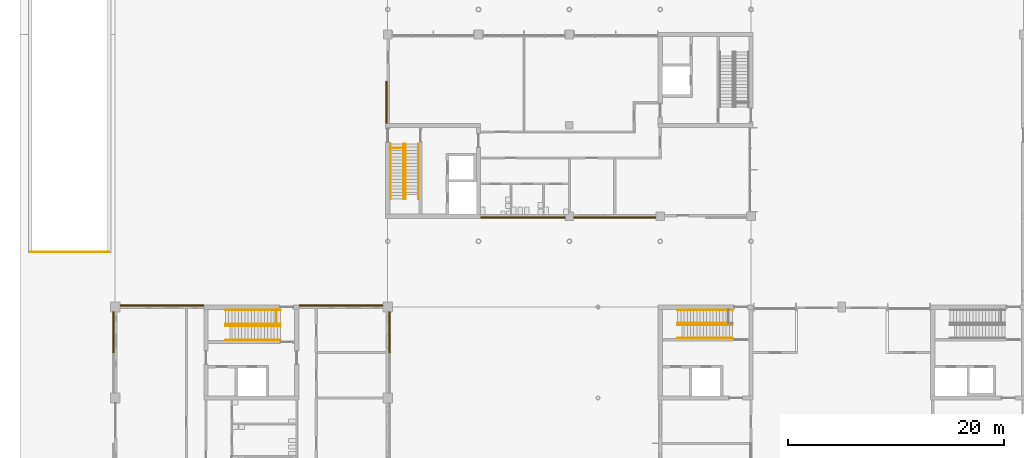
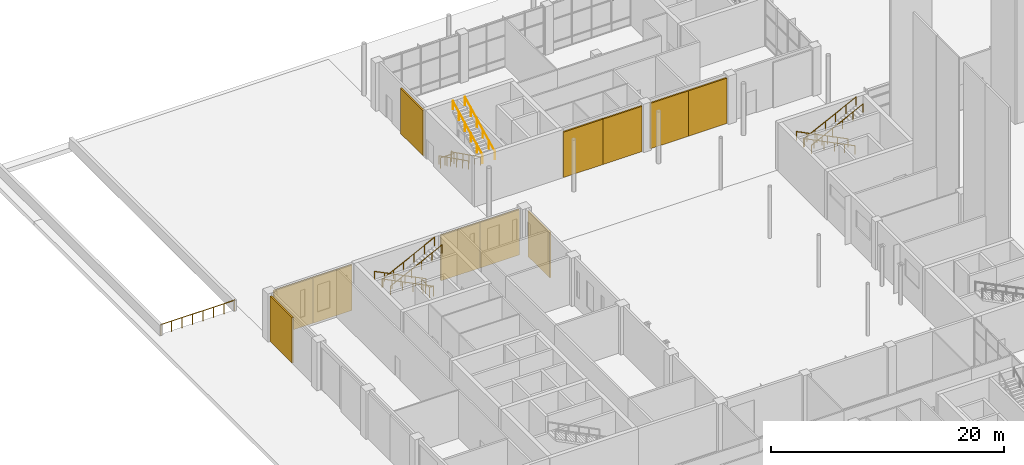
# One storey, part 66 of 76: 15 railings, 11 shading devices.
"""IFC4 building model written with IfcOpenShell, lengths in metres."""

from ifc_helpers import new_model, si_unit, direction, frame, origin, origin_2d, place, context, subcontext, project, spatial, rectangle, circle, extrude, material, layer, layer_set, type_object, element, save


model = new_model("IFC4")

# Units and contexts
model_context = context("Model", 3, precision=1e-05, world=origin(), true_north=direction((0.0, 1.0)))
body_context = subcontext(model_context, "Body", "Model", "MODEL_VIEW")
ifc_project = project(units=[si_unit("LENGTHUNIT", "METRE"), si_unit("AREAUNIT", "SQUARE_METRE"), si_unit("VOLUMEUNIT", "CUBIC_METRE"), si_unit("PLANEANGLEUNIT", "RADIAN"), si_unit("MASSUNIT", "GRAM", prefix="KILO")], contexts=[model_context])

# Site, building, storey
site_placement = place(None, origin())
site = spatial("IfcSite", under=ifc_project, at=site_placement, CompositionType="ELEMENT")
building_placement = place(site_placement, origin())
building = spatial("IfcBuilding", under=site, at=building_placement, Name="Hlaing Beacon Police Headquarters", CompositionType="ELEMENT")
storey_placement = place(building_placement, origin())
storey = spatial("IfcBuildingStorey", under=building, at=storey_placement, Name="L00", CompositionType="ELEMENT", Elevation=0.0)

# Shading devices
ifc_material_1 = material(Name="Perforated aluminium", Category="aluminium")
ifc_layer = layer(ifc_material_1, 0.14990234375)
ifc_layer_set = layer_set([ifc_layer], Name="Perforated aluminium")
shading_device_type = type_object("IfcShadingDeviceType", Name="Perforated screen panel 150", PredefinedType="JALOUSIE", material=ifc_layer_set)
shading_device_1_placement = place(storey_placement, frame((33.75, 64.875, 0.0), z_axis=(0.0, 0.0, 1.0), x_axis=(0.0, 1.0, 0.0)))
element("IfcShadingDevice", 1, at=shading_device_1_placement, inside=storey, type_object=shading_device_type, Name="Screen L00 E007", PredefinedType="JALOUSIE", context=body_context, shape_type="SweptSolid", body=[
    extrude(rectangle(XDim=3.75, YDim=0.14990234375, at=origin_2d()), origin(), (0.0, 0.0, 1.0), 4.75),
])
for number, where, z_axis, x_axis, name in (
    (2, (31.21240234375, 67.35009765625, 0.0), (0.0, 0.0, 1.0), (-1.0, 0.0, 0.0), "Screen L00 N008"),
    (3, (27.33740234375, 67.35009765625, 0.0), (0.0, 0.0, 1.0), (-1.0, 0.0, 0.0), "Screen L00 N009"),
    (4, (14.66259765625, 67.35009765625, 0.0), (0.0, 0.0, 1.0), (-1.0, 0.0, 0.0), "Screen L00 N010"),
    (5, (10.78759765625, 67.35009765625, 0.0), (0.0, 0.0, 1.0), (-1.0, 0.0, 0.0), "Screen L00 N011"),
):
    element("IfcShadingDevice", number, at=place(storey_placement, frame(where, z_axis=z_axis, x_axis=x_axis)), inside=storey, type_object=shading_device_type, Name=name, PredefinedType="JALOUSIE", context=body_context, shape_type="SweptSolid", body=[
        extrude(rectangle(XDim=3.875, YDim=0.14990234375, at=origin_2d()), origin(), (0.0, 0.0, 1.0), 4.75),
    ])
shading_device_2_placement = place(storey_placement, frame((8.25, 64.875, 0.0), z_axis=(0.0, 0.0, 1.0), x_axis=(0.0, -1.0, 0.0)))
element("IfcShadingDevice", 6, at=shading_device_2_placement, inside=storey, type_object=shading_device_type, Name="Screen L00 W012", PredefinedType="JALOUSIE", context=body_context, shape_type="SweptSolid", body=[
    extrude(rectangle(XDim=3.75, YDim=0.14990234375, at=origin_2d()), origin(), (0.0, 0.0, 1.0), 4.75),
])
for number, where, z_axis, x_axis, name in (
    (7, (33.47509765625, 86.14990234375, 0.0), (0.0, 0.0, 1.0), (0.0, -1.0, 0.0), "Screen L00 W017"),
    (8, (44.14990234375, 75.47509765625, 0.0), (0.0, 0.0, 1.0), (1.0, 0.0, 0.0), "Screen L00 S018"),
    (9, (48.050048828125, 75.47509765625, 0.0), (0.0, 0.0, 1.0), (1.0, 0.0, 0.0), "Screen L00 S019"),
):
    element("IfcShadingDevice", number, at=place(storey_placement, frame(where, z_axis=z_axis, x_axis=x_axis)), inside=storey, type_object=shading_device_type, Name=name, PredefinedType="JALOUSIE", context=body_context, shape_type="SweptSolid", body=[
        extrude(rectangle(XDim=3.89990234375, YDim=0.14990234375, at=origin_2d()), origin(), (0.0, 0.0, 1.0), 4.75),
    ])
for number, where, z_axis, x_axis, name in (
    (10, (52.699951171875, 75.47509765625, 0.0), (0.0, 0.0, 1.0), (1.0, 0.0, 0.0), "Screen L00 S020"),
    (11, (56.5, 75.47509765625, 0.0), (0.0, 0.0, 1.0), (1.0, 0.0, 0.0), "Screen L00 S021"),
):
    element("IfcShadingDevice", number, at=place(storey_placement, frame(where, z_axis=z_axis, x_axis=x_axis)), inside=storey, type_object=shading_device_type, Name=name, PredefinedType="JALOUSIE", context=body_context, shape_type="SweptSolid", body=[
        extrude(rectangle(XDim=3.800048828125, YDim=0.14990234375, at=origin_2d()), origin(), (0.0, 0.0, 1.0), 4.75),
    ])

# Railings
ifc_material_2 = material(Name="Galvanised steel", Category="steel")
railing_type_1 = type_object("IfcRailingType", Name="Ramp edge guard 1100", PredefinedType="GUARDRAIL", material=ifc_material_2)
railing_1_placement = place(storey_placement, frame((7.85009765625, 72.300048828125, 0.0)))
element("IfcRailing", 12, at=railing_1_placement, inside=storey, type_object=railing_type_1, Name="Guard R1", PredefinedType="GUARDRAIL", context=body_context, shape_type="SweptSolid", body=[
    extrude(circle(Radius=0.02392578125, at=origin_2d()), frame((0.0, 0.0, 1.076171875), z_axis=(-1.0, 0.0, 0.0), x_axis=(0.0, -1.0, 0.0)), (0.0, 0.0, 1.0), 7.300048828125),
    extrude(circle(Radius=0.02099609375, at=origin_2d()), origin(), (0.0, 0.0, 1.0), 1.052001953125),
    extrude(circle(Radius=0.02099609375, at=origin_2d()), frame((-1.04296875, 0.0, 0.0)), (0.0, 0.0, 1.0), 1.052001953125),
    extrude(circle(Radius=0.02099609375, at=origin_2d()), frame((-2.085693359375, 0.0, 0.0)), (0.0, 0.0, 1.0), 1.052001953125),
    extrude(circle(Radius=0.02099609375, at=origin_2d()), frame((-3.128662109375, 0.0, 0.0)), (0.0, 0.0, 1.0), 1.052001953125),
    extrude(circle(Radius=0.02099609375, at=origin_2d()), frame((-4.17138671875, 0.0, 0.0)), (0.0, 0.0, 1.0), 1.052001953125),
    extrude(circle(Radius=0.02099609375, at=origin_2d()), frame((-5.21435546875, 0.0, 0.0)), (0.0, 0.0, 1.0), 1.052001953125),
    extrude(circle(Radius=0.02099609375, at=origin_2d()), frame((-6.257080078125, 0.0, 0.0)), (0.0, 0.0, 1.0), 1.052001953125),
    extrude(circle(Radius=0.02099609375, at=origin_2d()), frame((-7.300048828125, 0.0, 0.0)), (0.0, 0.0, 1.0), 1.052001953125),
])
ifc_material_3 = material(Name="Stainless steel", Category="steel")
railing_type_2 = type_object("IfcRailingType", Name="Stair guard 1100", PredefinedType="GUARDRAIL", material=ifc_material_3)
railing_2_placement = place(storey_placement, frame((33.800048828125, 81.89990234375, 0.0)))
element("IfcRailing", 13, at=railing_2_placement, inside=storey, type_object=railing_type_2, Name="Guard ST-E", PredefinedType="GUARDRAIL", context=body_context, shape_type="SweptSolid", body=[
    extrude(circle(Radius=0.02392578125, at=origin_2d()), frame((0.0, 0.0, 1.076171875), z_axis=(1.0, 0.0, 0.0), x_axis=(0.0, 1.0, 0.0)), (0.0, 0.0, 1.0), 1.300048828125),
    extrude(circle(Radius=0.02392578125, at=origin_2d()), frame((1.300048828125, 0.0, 1.076171875), z_axis=(0.0, 1.0, 0.0), x_axis=(-1.0, 0.0, 0.0)), (0.0, 0.0, 1.0), 0.400146484375),
    extrude(circle(Radius=0.02099609375, at=origin_2d()), origin(), (0.0, 0.0, 1.0), 1.052001953125),
    extrude(circle(Radius=0.02099609375, at=origin_2d()), frame((0.64990234375, 0.0, 0.0)), (0.0, 0.0, 1.0), 1.052001953125),
    extrude(circle(Radius=0.02099609375, at=origin_2d()), frame((1.300048828125, 0.0, 0.0)), (0.0, 0.0, 1.0), 1.052001953125),
    extrude(circle(Radius=0.02099609375, at=origin_2d()), frame((1.300048828125, 0.400146484375, 0.0)), (0.0, 0.0, 1.0), 1.052001953125),
])
railing_3_placement = place(storey_placement, frame((23.300048828125, 67.0, 0.0)))
element("IfcRailing", 14, at=railing_3_placement, inside=storey, type_object=railing_type_2, Name="Guard ST-P", PredefinedType="GUARDRAIL", context=body_context, shape_type="SweptSolid", body=[
    extrude(circle(Radius=0.02392578125, at=origin_2d()), frame((0.0, 0.0, 1.076171875), z_axis=(0.0, -1.0, 0.0), x_axis=(1.0, 0.0, 0.0)), (0.0, 0.0, 1.0), 1.39990234375),
    extrude(circle(Radius=0.02392578125, at=origin_2d()), frame((0.0, -1.39990234375, 1.076171875), z_axis=(1.0, 0.0, 0.0), x_axis=(0.0, 1.0, 0.0)), (0.0, 0.0, 1.0), 0.39990234375),
    extrude(circle(Radius=0.02099609375, at=origin_2d()), origin(), (0.0, 0.0, 1.0), 1.052001953125),
    extrude(circle(Radius=0.02099609375, at=origin_2d()), frame((0.0, -0.699951171875, 0.0)), (0.0, 0.0, 1.0), 1.052001953125),
    extrude(circle(Radius=0.02099609375, at=origin_2d()), frame((0.0, -1.39990234375, 0.0)), (0.0, 0.0, 1.0), 1.052001953125),
    extrude(circle(Radius=0.02099609375, at=origin_2d()), frame((0.39990234375, -1.39990234375, 0.0)), (0.0, 0.0, 1.0), 1.052001953125),
])
ifc_material_4 = material(Name="Stainless steel", Category="steel")
railing_type_3 = type_object("IfcRailingType", Name="Stair handrail 900", PredefinedType="HANDRAIL", material=ifc_material_4)
for number, where, name in (
    (15, (65.5, 66.949951171875, 0.14990234375), "Handrail ST-B"),
    (16, (65.5, 65.75, 0.14990234375), "Handrail ST-B"),
):
    element("IfcRailing", number, at=place(storey_placement, frame(where)), inside=storey, type_object=railing_type_3, Name=name, PredefinedType="HANDRAIL", context=body_context, shape_type="SweptSolid", body=[
        extrude(circle(Radius=0.02392578125, at=origin_2d()), frame((0.0, 0.0, 0.8759765625), z_axis=(-0.894427191, 0.0, 0.4472135955), x_axis=(0.0, -1.0, 0.0)), (0.0, 0.0, 1.0), 5.7021484375),
        extrude(circle(Radius=0.02099609375, at=origin_2d()), origin(), (0.0, 0.0, 1.0), 0.851806640625),
        extrude(circle(Radius=0.02099609375, at=origin_2d()), frame((-1.02001953125, 0.0, 0.510009765625)), (0.0, 0.0, 1.0), 0.851806640625),
        extrude(circle(Radius=0.02099609375, at=origin_2d()), frame((-2.0400390625, 0.0, 1.02001953125)), (0.0, 0.0, 1.0), 0.851806640625),
        extrude(circle(Radius=0.02099609375, at=origin_2d()), frame((-3.06005859375, 0.0, 1.530029296875)), (0.0, 0.0, 1.0), 0.851806640625),
        extrude(circle(Radius=0.02099609375, at=origin_2d()), frame((-4.080078125, 0.0, 2.0400390625)), (0.0, 0.0, 1.0), 0.851806640625),
        extrude(circle(Radius=0.02099609375, at=origin_2d()), frame((-5.10009765625, 0.0, 2.550048828125)), (0.0, 0.0, 1.0), 0.851806640625),
    ])
for number, where, name in (
    (17, (60.39990234375, 65.550048828125, 2.85009765625), "Handrail ST-B"),
    (18, (60.39990234375, 64.35009765625, 2.85009765625), "Handrail ST-B"),
):
    element("IfcRailing", number, at=place(storey_placement, frame(where)), inside=storey, type_object=railing_type_3, Name=name, PredefinedType="HANDRAIL", context=body_context, shape_type="SweptSolid", body=[
        extrude(circle(Radius=0.02392578125, at=origin_2d()), frame((0.0, 0.0, 0.8759765625), z_axis=(0.89444431709, 0.0, 0.44717934168), x_axis=(0.0, 1.0, 0.0)), (0.0, 0.0, 1.0), 5.701904296875),
        extrude(circle(Radius=0.02099609375, at=origin_2d()), origin(), (0.0, 0.0, 1.0), 0.851806640625),
        extrude(circle(Radius=0.02099609375, at=origin_2d()), frame((1.02001953125, 0.0, 0.510009765625)), (0.0, 0.0, 1.0), 0.851806640625),
        extrude(circle(Radius=0.02099609375, at=origin_2d()), frame((2.0400390625, 0.0, 1.02001953125)), (0.0, 0.0, 1.0), 0.851806640625),
        extrude(circle(Radius=0.02099609375, at=origin_2d()), frame((3.06005859375, 0.0, 1.52978515625)), (0.0, 0.0, 1.0), 0.851806640625),
        extrude(circle(Radius=0.02099609375, at=origin_2d()), frame((4.080078125, 0.0, 2.039794921875)), (0.0, 0.0, 1.0), 0.851806640625),
        extrude(circle(Radius=0.02099609375, at=origin_2d()), frame((5.10009765625, 0.0, 2.5498046875)), (0.0, 0.0, 1.0), 0.851806640625),
    ])
for number, where, name in (
    (19, (33.85009765625, 82.300048828125, 0.14990234375), "Handrail ST-E"),
    (20, (35.050048828125, 82.300048828125, 0.14990234375), "Handrail ST-E"),
):
    element("IfcRailing", number, at=place(storey_placement, frame(where)), inside=storey, type_object=railing_type_3, Name=name, PredefinedType="HANDRAIL", context=body_context, shape_type="SweptSolid", body=[
        extrude(circle(Radius=0.02392578125, at=origin_2d()), frame((0.0, 0.0, 0.8759765625), z_axis=(0.0, -0.894427191, 0.4472135955), x_axis=(1.0, 0.0, 0.0)), (0.0, 0.0, 1.0), 5.7021484375),
        extrude(circle(Radius=0.02099609375, at=origin_2d()), origin(), (0.0, 0.0, 1.0), 0.851806640625),
        extrude(circle(Radius=0.02099609375, at=origin_2d()), frame((0.0, -1.02001953125, 0.510009765625)), (0.0, 0.0, 1.0), 0.851806640625),
        extrude(circle(Radius=0.02099609375, at=origin_2d()), frame((0.0, -2.0400390625, 1.02001953125)), (0.0, 0.0, 1.0), 0.851806640625),
        extrude(circle(Radius=0.02099609375, at=origin_2d()), frame((0.0, -3.06005859375, 1.530029296875)), (0.0, 0.0, 1.0), 0.851806640625),
        extrude(circle(Radius=0.02099609375, at=origin_2d()), frame((0.0, -4.080078125, 2.0400390625)), (0.0, 0.0, 1.0), 0.851806640625),
        extrude(circle(Radius=0.02099609375, at=origin_2d()), frame((0.0, -5.10009765625, 2.550048828125)), (0.0, 0.0, 1.0), 0.851806640625),
    ])
for number, where, name in (
    (21, (35.25, 77.199951171875, 2.85009765625), "Handrail ST-E"),
    (22, (36.449951171875, 77.199951171875, 2.85009765625), "Handrail ST-E"),
):
    element("IfcRailing", number, at=place(storey_placement, frame(where)), inside=storey, type_object=railing_type_3, Name=name, PredefinedType="HANDRAIL", context=body_context, shape_type="SweptSolid", body=[
        extrude(circle(Radius=0.02392578125, at=origin_2d()), frame((0.0, 0.0, 0.8759765625), z_axis=(0.0, 0.89444431709, 0.44717934168), x_axis=(-1.0, 0.0, 0.0)), (0.0, 0.0, 1.0), 5.701904296875),
        extrude(circle(Radius=0.02099609375, at=origin_2d()), origin(), (0.0, 0.0, 1.0), 0.851806640625),
        extrude(circle(Radius=0.02099609375, at=origin_2d()), frame((0.0, 1.02001953125, 0.510009765625)), (0.0, 0.0, 1.0), 0.851806640625),
        extrude(circle(Radius=0.02099609375, at=origin_2d()), frame((0.0, 2.0400390625, 1.02001953125)), (0.0, 0.0, 1.0), 0.851806640625),
        extrude(circle(Radius=0.02099609375, at=origin_2d()), frame((0.0, 3.06005859375, 1.52978515625)), (0.0, 0.0, 1.0), 0.851806640625),
        extrude(circle(Radius=0.02099609375, at=origin_2d()), frame((0.0, 4.080078125, 2.039794921875)), (0.0, 0.0, 1.0), 0.851806640625),
        extrude(circle(Radius=0.02099609375, at=origin_2d()), frame((0.0, 5.10009765625, 2.5498046875)), (0.0, 0.0, 1.0), 0.851806640625),
    ])
for number, where, name in (
    (23, (23.699951171875, 66.949951171875, 0.14990234375), "Handrail ST-P"),
    (24, (23.699951171875, 65.64990234375, 0.14990234375), "Handrail ST-P"),
):
    element("IfcRailing", number, at=place(storey_placement, frame(where)), inside=storey, type_object=railing_type_3, Name=name, PredefinedType="HANDRAIL", context=body_context, shape_type="SweptSolid", body=[
        extrude(circle(Radius=0.02392578125, at=origin_2d()), frame((0.0, 0.0, 0.8759765625), z_axis=(-0.894418627299, 0.0, 0.447230722492), x_axis=(0.0, -1.0, 0.0)), (0.0, 0.0, 1.0), 5.701904296875),
        extrude(circle(Radius=0.02099609375, at=origin_2d()), origin(), (0.0, 0.0, 1.0), 0.851806640625),
        extrude(circle(Radius=0.02099609375, at=origin_2d()), frame((-1.02001953125, 0.0, 0.510009765625)), (0.0, 0.0, 1.0), 0.851806640625),
        extrude(circle(Radius=0.02099609375, at=origin_2d()), frame((-2.0400390625, 0.0, 1.02001953125)), (0.0, 0.0, 1.0), 0.851806640625),
        extrude(circle(Radius=0.02099609375, at=origin_2d()), frame((-3.059814453125, 0.0, 1.530029296875)), (0.0, 0.0, 1.0), 0.851806640625),
        extrude(circle(Radius=0.02099609375, at=origin_2d()), frame((-4.079833984375, 0.0, 2.0400390625)), (0.0, 0.0, 1.0), 0.851806640625),
        extrude(circle(Radius=0.02099609375, at=origin_2d()), frame((-5.099853515625, 0.0, 2.550048828125)), (0.0, 0.0, 1.0), 0.851806640625),
    ])
for number, where, name in (
    (25, (18.60009765625, 65.449951171875, 2.85009765625), "Handrail ST-P"),
    (26, (18.60009765625, 64.14990234375, 2.85009765625), "Handrail ST-P"),
):
    element("IfcRailing", number, at=place(storey_placement, frame(where)), inside=storey, type_object=railing_type_3, Name=name, PredefinedType="HANDRAIL", context=body_context, shape_type="SweptSolid", body=[
        extrude(circle(Radius=0.02392578125, at=origin_2d()), frame((0.0, 0.0, 0.8759765625), z_axis=(0.894435754537, 0.0, 0.447196468016), x_axis=(0.0, 1.0, 0.0)), (0.0, 0.0, 1.0), 5.70166015625),
        extrude(circle(Radius=0.02099609375, at=origin_2d()), origin(), (0.0, 0.0, 1.0), 0.851806640625),
        extrude(circle(Radius=0.02099609375, at=origin_2d()), frame((1.02001953125, 0.0, 0.510009765625)), (0.0, 0.0, 1.0), 0.851806640625),
        extrude(circle(Radius=0.02099609375, at=origin_2d()), frame((2.0400390625, 0.0, 1.02001953125)), (0.0, 0.0, 1.0), 0.851806640625),
        extrude(circle(Radius=0.02099609375, at=origin_2d()), frame((3.059814453125, 0.0, 1.52978515625)), (0.0, 0.0, 1.0), 0.851806640625),
        extrude(circle(Radius=0.02099609375, at=origin_2d()), frame((4.079833984375, 0.0, 2.039794921875)), (0.0, 0.0, 1.0), 0.851806640625),
        extrude(circle(Radius=0.02099609375, at=origin_2d()), frame((5.099853515625, 0.0, 2.5498046875)), (0.0, 0.0, 1.0), 0.851806640625),
    ])

save(model, "model.ifc")
